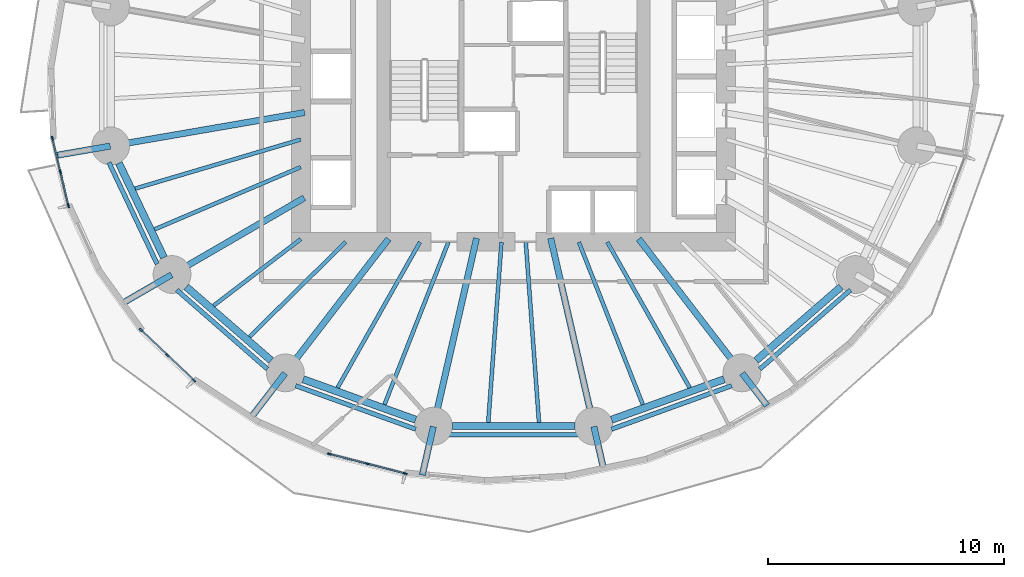
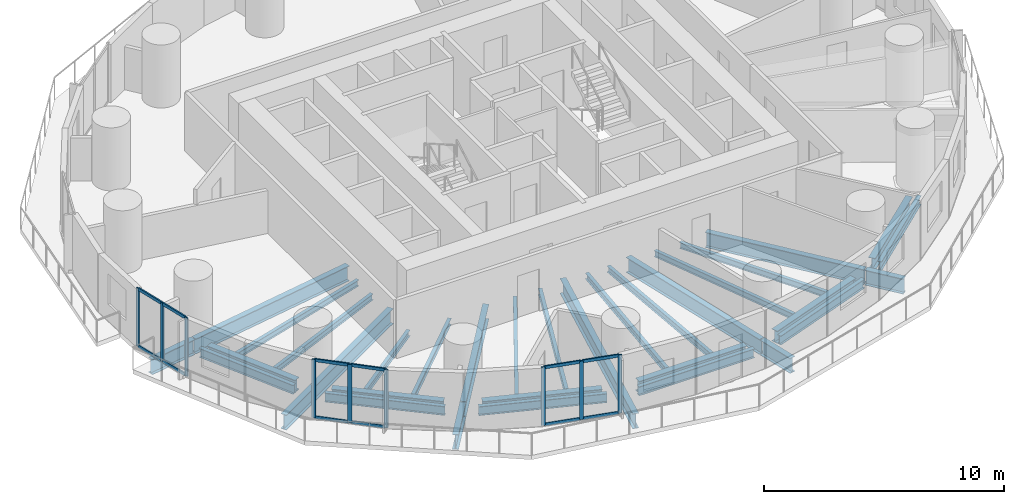
# One storey, part 2 of 14: 34 beams, 21 members, 3 elements without a shape of their own.
"""IFC4 building model written with IfcOpenShell, lengths in metres."""

from ifc_helpers import new_model, si_unit, direction, frame, origin, origin_2d, place, context, subcontext, project, spatial, rectangle, i_section, extrude, material, material_profile, profile_set, type_object, element, aggregate, save


model = new_model("IFC4")

# Units and contexts
model_context = context("Model", 3, precision=1e-05, world=origin(), true_north=direction((0.0, 1.0)))
body_context = subcontext(model_context, "Body", "Model", "MODEL_VIEW")
ifc_project = project(units=[si_unit("LENGTHUNIT", "METRE"), si_unit("AREAUNIT", "SQUARE_METRE"), si_unit("VOLUMEUNIT", "CUBIC_METRE"), si_unit("PLANEANGLEUNIT", "RADIAN"), si_unit("MASSUNIT", "GRAM", prefix="KILO")], contexts=[model_context])

# Site, building, storey
site_placement = place(None, origin())
site = spatial("IfcSite", under=ifc_project, at=site_placement, CompositionType="ELEMENT")
building_placement = place(site_placement, origin())
building = spatial("IfcBuilding", under=site, at=building_placement, Name="Veldorim Arch Residences", CompositionType="ELEMENT")
storey_placement = place(building_placement, frame((0.0, 0.0, 40.800048828125)))
storey = spatial("IfcBuildingStorey", under=building, at=storey_placement, Name="L11", CompositionType="ELEMENT", Elevation=40.800048828125)

# Beams
ifc_material_1 = material(Name="Steel S355", Category="steel")
ifc_material_profile_1 = material_profile(ifc_material_1, i_section(OverallWidth=0.30712890625, OverallDepth=0.6201171875, WebThickness=0.01416015625, FlangeThickness=0.023681640625, at=origin_2d()), Name="UB610x305x179")
ifc_profile_set_1 = profile_set([ifc_material_profile_1], Name="Steel S355")
beam_type_1 = type_object("IfcBeamType", Name="Structural Steel Beam UB610x305x179", PredefinedType="BEAM", material=ifc_profile_set_1)
beam_1_placement = place(storey_placement, frame((15.27880859375, 20.33203125, -0.550048828125), z_axis=(0.430786696724, -0.902453778276, 0.0), x_axis=(0.902453778276, 0.430786696724, 0.0)))
element("IfcBeam", 1, at=beam_1_placement, inside=storey, type_object=beam_type_1, Name="L11 perimeter ring tie beam 09", PredefinedType="BEAM", context=body_context, shape_type="SweptSolid", body=[
    extrude(i_section(OverallWidth=0.30712890625, OverallDepth=0.6201171875, WebThickness=0.01416015625, FlangeThickness=0.023681640625, at=origin_2d()), origin(), (0.0, 0.0, 1.0), 4.431396484375),
])
beam_2_placement = place(storey_placement, frame((18.13671875, 15.086669921875, -0.550048828125), z_axis=(0.755235029424, -0.655454079499, 0.0), x_axis=(0.655454079499, 0.755235029424, 0.0)))
element("IfcBeam", 2, at=beam_2_placement, inside=storey, type_object=beam_type_1, Name="L11 perimeter ring tie beam 10", PredefinedType="BEAM", context=body_context, shape_type="SweptSolid", body=[
    extrude(i_section(OverallWidth=0.30712890625, OverallDepth=0.6201171875, WebThickness=0.01416015625, FlangeThickness=0.023681640625, at=origin_2d()), origin(), (0.0, 0.0, 1.0), 4.756591796875),
])
beam_3_placement = place(storey_placement, frame((23.0859375, 11.17431640625, -0.550048828125), z_axis=(0.94103540046, -0.338308106732, 0.0), x_axis=(0.338308106732, 0.94103540046, 0.0)))
element("IfcBeam", 3, at=beam_3_placement, inside=storey, type_object=beam_type_1, Name="L11 perimeter ring tie beam 11", PredefinedType="BEAM", context=body_context, shape_type="SweptSolid", body=[
    extrude(i_section(OverallWidth=0.30712890625, OverallDepth=0.6201171875, WebThickness=0.01416015625, FlangeThickness=0.023681640625, at=origin_2d()), origin(), (0.0, 0.0, 1.0), 5.065185546875),
])
beam_4_placement = place(storey_placement, frame((29.405517578125, 9.190185546875, -0.550048828125), z_axis=(1.0, 0.0, 0.0), x_axis=(0.0, 1.0, 0.0)))
element("IfcBeam", 4, at=beam_4_placement, inside=storey, type_object=beam_type_1, Name="L11 perimeter ring tie beam 12", PredefinedType="BEAM", context=body_context, shape_type="SweptSolid", body=[
    extrude(i_section(OverallWidth=0.30712890625, OverallDepth=0.6201171875, WebThickness=0.01416015625, FlangeThickness=0.023681640625, at=origin_2d()), origin(), (0.0, 0.0, 1.0), 5.18896484375),
])
beam_5_placement = place(storey_placement, frame((36.1474609375, 9.460693359375, -0.550048828125), z_axis=(0.94103540046, 0.338308106732, 0.0), x_axis=(-0.338308106732, 0.94103540046, 0.0)))
element("IfcBeam", 5, at=beam_5_placement, inside=storey, type_object=beam_type_1, Name="L11 perimeter ring tie beam 13", PredefinedType="BEAM", context=body_context, shape_type="SweptSolid", body=[
    extrude(i_section(OverallWidth=0.30712890625, OverallDepth=0.6201171875, WebThickness=0.01416015625, FlangeThickness=0.023681640625, at=origin_2d()), origin(), (0.0, 0.0, 1.0), 5.065185546875),
])
beam_6_placement = place(storey_placement, frame((42.27099609375, 11.968994140625, -0.550048828125), z_axis=(0.755235029424, 0.655454079499, 0.0), x_axis=(-0.655454079499, 0.755235029424, 0.0)))
element("IfcBeam", 6, at=beam_6_placement, inside=storey, type_object=beam_type_1, Name="L11 perimeter ring tie beam 14", PredefinedType="BEAM", context=body_context, shape_type="SweptSolid", body=[
    extrude(i_section(OverallWidth=0.30712890625, OverallDepth=0.6201171875, WebThickness=0.01416015625, FlangeThickness=0.023681640625, at=origin_2d()), origin(), (0.0, 0.0, 1.0), 4.756591796875),
])
ifc_material_2 = material(Name="Steel S355", Category="steel")
ifc_material_profile_2 = material_profile(ifc_material_2, i_section(OverallWidth=0.26806640625, OverallDepth=0.769775390625, WebThickness=0.015625, FlangeThickness=0.025390625, at=origin_2d()), Name="UB762x267x197")
ifc_profile_set_2 = profile_set([ifc_material_profile_2], Name="Steel S355")
beam_type_2 = type_object("IfcBeamType", Name="Structural Steel GIRDER UB762x267x197", PredefinedType="USERDEFINED", material=ifc_profile_set_2)
beam_7_placement = place(storey_placement, frame((23.147705078125, 22.471923828125, -0.625), z_axis=(-0.985427548249, -0.170095699979, 0.0), x_axis=(0.170095699979, -0.985427548249, 0.0)))
element("IfcBeam", 7, at=beam_7_placement, inside=storey, type_object=beam_type_2, Name="L11 radial floor girder 09", ObjectType="GIRDER", PredefinedType="USERDEFINED", context=body_context, shape_type="SweptSolid", body=[
    extrude(i_section(OverallWidth=0.26806640625, OverallDepth=0.769775390625, WebThickness=0.015625, FlangeThickness=0.025390625, at=origin_2d()), origin(), (0.0, 0.0, 1.0), 8.314697265625),
])
beam_8_placement = place(storey_placement, frame((14.91455078125, 21.05078125, -0.625), z_axis=(-0.985409805025, -0.170198461099, 0.0), x_axis=(0.170198461099, -0.985409805025, 0.0)))
element("IfcBeam", 8, at=beam_8_placement, inside=storey, type_object=beam_type_2, Name="L11 radial edge cantilever girder 09", ObjectType="GIRDER", PredefinedType="USERDEFINED", context=body_context, shape_type="SweptSolid", body=[
    extrude(i_section(OverallWidth=0.26806640625, OverallDepth=0.769775390625, WebThickness=0.015625, FlangeThickness=0.025390625, at=origin_2d()), origin(), (0.0, 0.0, 1.0), 2.29931640625),
])
beam_9_placement = place(storey_placement, frame((23.1298828125, 18.8564453125, -0.625), z_axis=(-0.865088348752, -0.501619525989, 0.0), x_axis=(0.501619525989, -0.865088348752, 0.0)))
element("IfcBeam", 9, at=beam_9_placement, inside=storey, type_object=beam_type_2, Name="L11 radial floor girder 10", ObjectType="GIRDER", PredefinedType="USERDEFINED", context=body_context, shape_type="SweptSolid", body=[
    extrude(i_section(OverallWidth=0.26806640625, OverallDepth=0.769775390625, WebThickness=0.015625, FlangeThickness=0.025390625, at=origin_2d()), origin(), (0.0, 0.0, 1.0), 6.4501953125),
])
beam_10_placement = place(storey_placement, frame((17.51513671875, 15.600830078125, -0.625), z_axis=(-0.865111527822, -0.501579549453, 0.0), x_axis=(0.501579549453, -0.865111527822, 0.0)))
element("IfcBeam", 10, at=beam_10_placement, inside=storey, type_object=beam_type_2, Name="L11 radial edge cantilever girder 10", ObjectType="GIRDER", PredefinedType="USERDEFINED", context=body_context, shape_type="SweptSolid", body=[
    extrude(i_section(OverallWidth=0.26806640625, OverallDepth=0.769775390625, WebThickness=0.015625, FlangeThickness=0.025390625, at=origin_2d()), origin(), (0.0, 0.0, 1.0), 2.426513671875),
])
beam_11_placement = place(storey_placement, frame((26.701904296875, 17.118896484375, -0.625), z_axis=(-0.610082439157, -0.792337943956, 0.0), x_axis=(0.792337943956, -0.610082439157, 0.0)))
element("IfcBeam", 11, at=beam_11_placement, inside=storey, type_object=beam_type_2, Name="L11 radial floor girder 11", ObjectType="GIRDER", PredefinedType="USERDEFINED", context=body_context, shape_type="SweptSolid", body=[
    extrude(i_section(OverallWidth=0.26806640625, OverallDepth=0.769775390625, WebThickness=0.015625, FlangeThickness=0.025390625, at=origin_2d()), origin(), (0.0, 0.0, 1.0), 7.14111328125),
])
beam_12_placement = place(storey_placement, frame((22.32080078125, 11.428955078125, -0.625), z_axis=(-0.610028458485, -0.792379504933, 0.0), x_axis=(0.792379504933, -0.610028458485, 0.0)))
element("IfcBeam", 12, at=beam_12_placement, inside=storey, type_object=beam_type_2, Name="L11 radial edge cantilever girder 11", ObjectType="GIRDER", PredefinedType="USERDEFINED", context=body_context, shape_type="SweptSolid", body=[
    extrude(i_section(OverallWidth=0.26806640625, OverallDepth=0.769775390625, WebThickness=0.015625, FlangeThickness=0.025390625, at=origin_2d()), origin(), (0.0, 0.0, 1.0), 2.37646484375),
])
beam_13_placement = place(storey_placement, frame((30.428955078125, 17.146240234375, -0.625), z_axis=(-0.223411766201, -0.974724157248, 0.0), x_axis=(0.974724157248, -0.223411766201, 0.0)))
element("IfcBeam", 13, at=beam_13_placement, inside=storey, type_object=beam_type_2, Name="L11 radial floor girder 12", ObjectType="GIRDER", PredefinedType="USERDEFINED", context=body_context, shape_type="SweptSolid", body=[
    extrude(i_section(OverallWidth=0.26806640625, OverallDepth=0.769775390625, WebThickness=0.015625, FlangeThickness=0.025390625, at=origin_2d()), origin(), (0.0, 0.0, 1.0), 8.142333984375),
])
beam_14_placement = place(storey_placement, frame((28.600830078125, 9.170654296875, -0.625), z_axis=(-0.22340367913, -0.974726010811, 0.0), x_axis=(0.974726010811, -0.22340367913, 0.0)))
element("IfcBeam", 14, at=beam_14_placement, inside=storey, type_object=beam_type_2, Name="L11 radial edge cantilever girder 12", ObjectType="GIRDER", PredefinedType="USERDEFINED", context=body_context, shape_type="SweptSolid", body=[
    extrude(i_section(OverallWidth=0.26806640625, OverallDepth=0.769775390625, WebThickness=0.015625, FlangeThickness=0.025390625, at=origin_2d()), origin(), (0.0, 0.0, 1.0), 2.10693359375),
])
beam_15_placement = place(storey_placement, frame((33.571044921875, 17.146240234375, -0.625), z_axis=(0.223411766201, -0.974724157248, 0.0), x_axis=(0.974724157248, 0.223411766201, 0.0)))
element("IfcBeam", 15, at=beam_15_placement, inside=storey, type_object=beam_type_2, Name="L11 radial floor girder 13", ObjectType="GIRDER", PredefinedType="USERDEFINED", context=body_context, shape_type="SweptSolid", body=[
    extrude(i_section(OverallWidth=0.26806640625, OverallDepth=0.769775390625, WebThickness=0.015625, FlangeThickness=0.025390625, at=origin_2d()), origin(), (0.0, 0.0, 1.0), 8.142333984375),
])
beam_16_placement = place(storey_placement, frame((35.399169921875, 9.170654296875, -0.625), z_axis=(0.223405058442, -0.974725694676, 0.0), x_axis=(0.974725694676, 0.223405058442, 0.0)))
element("IfcBeam", 16, at=beam_16_placement, inside=storey, type_object=beam_type_2, Name="L11 radial edge cantilever girder 13", ObjectType="GIRDER", PredefinedType="USERDEFINED", context=body_context, shape_type="SweptSolid", body=[
    extrude(i_section(OverallWidth=0.26806640625, OverallDepth=0.769775390625, WebThickness=0.015625, FlangeThickness=0.025390625, at=origin_2d()), origin(), (0.0, 0.0, 1.0), 1.839111328125),
])
beam_17_placement = place(storey_placement, frame((37.298095703125, 17.118896484375, -0.625), z_axis=(0.610082439157, -0.792337943956, 0.0), x_axis=(0.792337943956, 0.610082439157, 0.0)))
element("IfcBeam", 17, at=beam_17_placement, inside=storey, type_object=beam_type_2, Name="L11 radial floor girder 14", ObjectType="GIRDER", PredefinedType="USERDEFINED", context=body_context, shape_type="SweptSolid", body=[
    extrude(i_section(OverallWidth=0.26806640625, OverallDepth=0.769775390625, WebThickness=0.015625, FlangeThickness=0.025390625, at=origin_2d()), origin(), (0.0, 0.0, 1.0), 7.14111328125),
])
beam_18_placement = place(storey_placement, frame((41.67919921875, 11.428955078125, -0.625), z_axis=(0.610051931938, -0.792361432895, 0.0), x_axis=(0.792361432895, 0.610051931938, 0.0)))
element("IfcBeam", 18, at=beam_18_placement, inside=storey, type_object=beam_type_2, Name="L11 radial edge cantilever girder 14", ObjectType="GIRDER", PredefinedType="USERDEFINED", context=body_context, shape_type="SweptSolid", body=[
    extrude(i_section(OverallWidth=0.26806640625, OverallDepth=0.769775390625, WebThickness=0.015625, FlangeThickness=0.025390625, at=origin_2d()), origin(), (0.0, 0.0, 1.0), 1.728759765625),
])
ifc_material_3 = material(Name="Steel S355", Category="steel")
ifc_material_profile_3 = material_profile(ifc_material_3, i_section(OverallWidth=0.165771484375, OverallDepth=0.306640625, WebThickness=0.006591796875, FlangeThickness=0.01171875, at=origin_2d()), Name="UB305x165x46")
ifc_profile_set_3 = profile_set([ifc_material_profile_3], Name="Steel S355")
beam_type_3 = type_object("IfcBeamType", Name="Structural Steel Joist UB305x165x46", PredefinedType="JOIST", material=ifc_profile_set_3)
beam_19_placement = place(storey_placement, frame((22.980712890625, 21.32666015625, -0.393310546875), z_axis=(-0.958766778771, -0.284194060325, 0.0), x_axis=(0.284194060325, -0.958766778771, 0.0)))
element("IfcBeam", 19, at=beam_19_placement, inside=storey, type_object=beam_type_3, Name="L11 secondary radial floor joist 09-1", PredefinedType="JOIST", context=body_context, shape_type="SweptSolid", body=[
    extrude(i_section(OverallWidth=0.165771484375, OverallDepth=0.306640625, WebThickness=0.006591796875, FlangeThickness=0.01171875, at=origin_2d()), origin(), (0.0, 0.0, 1.0), 7.3115234375),
])
beam_20_placement = place(storey_placement, frame((22.981689453125, 20.15869140625, -0.393310546875), z_axis=(-0.920032948668, -0.391841005213, 0.0), x_axis=(0.391841005213, -0.920032948668, 0.0)))
element("IfcBeam", 20, at=beam_20_placement, inside=storey, type_object=beam_type_3, Name="L11 secondary radial floor joist 09-2", PredefinedType="JOIST", context=body_context, shape_type="SweptSolid", body=[
    extrude(i_section(OverallWidth=0.165771484375, OverallDepth=0.306640625, WebThickness=0.006591796875, FlangeThickness=0.01171875, at=origin_2d()), origin(), (0.0, 0.0, 1.0), 6.723388671875),
])
beam_21_placement = place(storey_placement, frame((22.984130859375, 17.1123046875, -0.393310546875), z_axis=(-0.794666431166, -0.607046343517, 0.0), x_axis=(0.607046343517, -0.794666431166, 0.0)))
element("IfcBeam", 21, at=beam_21_placement, inside=storey, type_object=beam_type_3, Name="L11 secondary radial floor joist 10-1", PredefinedType="JOIST", context=body_context, shape_type="SweptSolid", body=[
    extrude(i_section(OverallWidth=0.165771484375, OverallDepth=0.306640625, WebThickness=0.006591796875, FlangeThickness=0.01171875, at=origin_2d()), origin(), (0.0, 0.0, 1.0), 4.646728515625),
])
beam_22_placement = place(storey_placement, frame((24.885009765625, 16.986083984375, -0.393310546875), z_axis=(-0.712129078446, -0.702048556463, 0.0), x_axis=(0.702048556463, -0.712129078446, 0.0)))
element("IfcBeam", 22, at=beam_22_placement, inside=storey, type_object=beam_type_3, Name="L11 secondary radial floor joist 10-2", PredefinedType="JOIST", context=body_context, shape_type="SweptSolid", body=[
    extrude(i_section(OverallWidth=0.165771484375, OverallDepth=0.306640625, WebThickness=0.006591796875, FlangeThickness=0.01171875, at=origin_2d()), origin(), (0.0, 0.0, 1.0), 5.715576171875),
])
beam_23_placement = place(storey_placement, frame((28.03125, 16.982666015625, -0.393310546875), z_axis=(-0.492292335352, -0.870429926274, 0.0), x_axis=(0.870429926274, -0.492292335352, 0.0)))
element("IfcBeam", 23, at=beam_23_placement, inside=storey, type_object=beam_type_3, Name="L11 secondary radial floor joist 11-1", PredefinedType="JOIST", context=body_context, shape_type="SweptSolid", body=[
    extrude(i_section(OverallWidth=0.165771484375, OverallDepth=0.306640625, WebThickness=0.006591796875, FlangeThickness=0.01171875, at=origin_2d()), origin(), (0.0, 0.0, 1.0), 7.083251953125),
])
beam_24_placement = place(storey_placement, frame((29.237548828125, 16.9814453125, -0.393310546875), z_axis=(-0.366229833858, -0.930524426758, 0.0), x_axis=(0.930524426758, -0.366229833858, 0.0)))
element("IfcBeam", 24, at=beam_24_placement, inside=storey, type_object=beam_type_3, Name="L11 secondary radial floor joist 11-2", PredefinedType="JOIST", context=body_context, shape_type="SweptSolid", body=[
    extrude(i_section(OverallWidth=0.165771484375, OverallDepth=0.306640625, WebThickness=0.006591796875, FlangeThickness=0.01171875, at=origin_2d()), origin(), (0.0, 0.0, 1.0), 7.3896484375),
])
for number, where, z_axis, x_axis, name in (
    (25, (31.485107421875, 16.97998046875, -0.393310546875), (-0.073167620373, -0.997319657547, 0.0), (0.997319657547, -0.073167620373, 0.0), "L11 secondary radial floor joist 12-1"),
    (26, (32.514892578125, 16.97998046875, -0.393310546875), (0.073167620373, -0.997319657547, 0.0), (0.997319657547, 0.073167620373, 0.0), "L11 secondary radial floor joist 12-2"),
):
    element("IfcBeam", number, at=place(storey_placement, frame(where, z_axis=z_axis, x_axis=x_axis)), inside=storey, type_object=beam_type_3, Name=name, PredefinedType="JOIST", context=body_context, shape_type="SweptSolid", body=[
        extrude(i_section(OverallWidth=0.165771484375, OverallDepth=0.306640625, WebThickness=0.006591796875, FlangeThickness=0.01171875, at=origin_2d()), origin(), (0.0, 0.0, 1.0), 7.651123046875),
    ])
beam_25_placement = place(storey_placement, frame((34.762451171875, 16.9814453125, -0.393310546875), z_axis=(0.366229833858, -0.930524426758, 0.0), x_axis=(0.930524426758, 0.366229833858, 0.0)))
element("IfcBeam", 27, at=beam_25_placement, inside=storey, type_object=beam_type_3, Name="L11 secondary radial floor joist 13-1", PredefinedType="JOIST", context=body_context, shape_type="SweptSolid", body=[
    extrude(i_section(OverallWidth=0.165771484375, OverallDepth=0.306640625, WebThickness=0.006591796875, FlangeThickness=0.01171875, at=origin_2d()), origin(), (0.0, 0.0, 1.0), 7.3896484375),
])
beam_26_placement = place(storey_placement, frame((35.96875, 16.982666015625, -0.393310546875), z_axis=(0.492292335352, -0.870429926274, 0.0), x_axis=(0.870429926274, 0.492292335352, 0.0)))
element("IfcBeam", 28, at=beam_26_placement, inside=storey, type_object=beam_type_3, Name="L11 secondary radial floor joist 13-2", PredefinedType="JOIST", context=body_context, shape_type="SweptSolid", body=[
    extrude(i_section(OverallWidth=0.165771484375, OverallDepth=0.306640625, WebThickness=0.006591796875, FlangeThickness=0.01171875, at=origin_2d()), origin(), (0.0, 0.0, 1.0), 7.083251953125),
])
ifc_material_4 = material(Name="Steel S355", Category="steel")
ifc_material_profile_4 = material_profile(ifc_material_4, i_section(OverallWidth=0.19140625, OverallDepth=0.4599609375, WebThickness=0.010009765625, FlangeThickness=0.01611328125, at=origin_2d()), Name="UB457x191x82")
ifc_profile_set_4 = profile_set([ifc_material_profile_4], Name="Steel S355")
beam_type_4 = type_object("IfcBeamType", Name="Structural Steel Spandrel UB457x191x82", PredefinedType="SPANDREL", material=ifc_profile_set_4)
beam_27_placement = place(storey_placement, frame((14.86181640625, 20.353515625, -0.489990234375), z_axis=(0.42886940858, -0.903366498374, 0.0), x_axis=(0.903366498374, 0.42886940858, 0.0)))
element("IfcBeam", 29, at=beam_27_placement, inside=storey, type_object=beam_type_4, Name="L11 perimeter chord spandrel beam 09", PredefinedType="SPANDREL", context=body_context, shape_type="SweptSolid", body=[
    extrude(i_section(OverallWidth=0.19140625, OverallDepth=0.4599609375, WebThickness=0.010009765625, FlangeThickness=0.01611328125, at=origin_2d()), origin(), (0.0, 0.0, 1.0), 4.7568359375),
])
beam_28_placement = place(storey_placement, frame((17.73388671875, 14.957275390625, -0.489990234375), z_axis=(0.753250231024, -0.65773405679, 0.0), x_axis=(0.65773405679, 0.753250231024, 0.0)))
element("IfcBeam", 30, at=beam_28_placement, inside=storey, type_object=beam_type_4, Name="L11 perimeter chord spandrel beam 10", PredefinedType="SPANDREL", context=body_context, shape_type="SweptSolid", body=[
    extrude(i_section(OverallWidth=0.19140625, OverallDepth=0.4599609375, WebThickness=0.010009765625, FlangeThickness=0.01611328125, at=origin_2d()), origin(), (0.0, 0.0, 1.0), 5.09423828125),
])
beam_29_placement = place(storey_placement, frame((22.76318359375, 10.904052734375, -0.489990234375), z_axis=(0.940271320222, -0.340425974873, 0.0), x_axis=(0.340425974873, 0.940271320222, 0.0)))
element("IfcBeam", 31, at=beam_29_placement, inside=storey, type_object=beam_type_4, Name="L11 perimeter chord spandrel beam 11", PredefinedType="SPANDREL", context=body_context, shape_type="SweptSolid", body=[
    extrude(i_section(OverallWidth=0.19140625, OverallDepth=0.4599609375, WebThickness=0.010009765625, FlangeThickness=0.01611328125, at=origin_2d()), origin(), (0.0, 0.0, 1.0), 5.4189453125),
])
beam_30_placement = place(storey_placement, frame((29.224609375, 8.819580078125, -0.489990234375), z_axis=(1.0, 0.0, 0.0), x_axis=(0.0, 1.0, 0.0)))
element("IfcBeam", 32, at=beam_30_placement, inside=storey, type_object=beam_type_4, Name="L11 perimeter chord spandrel beam 12", PredefinedType="SPANDREL", context=body_context, shape_type="SweptSolid", body=[
    extrude(i_section(OverallWidth=0.19140625, OverallDepth=0.4599609375, WebThickness=0.010009765625, FlangeThickness=0.01611328125, at=origin_2d()), origin(), (0.0, 0.0, 1.0), 5.55078125),
])
beam_31_placement = place(storey_placement, frame((36.1416015625, 9.059326171875, -0.489990234375), z_axis=(0.940271320222, 0.340425974873, 0.0), x_axis=(-0.340425974873, 0.940271320222, 0.0)))
element("IfcBeam", 33, at=beam_31_placement, inside=storey, type_object=beam_type_4, Name="L11 perimeter chord spandrel beam 13", PredefinedType="SPANDREL", context=body_context, shape_type="SweptSolid", body=[
    extrude(i_section(OverallWidth=0.19140625, OverallDepth=0.4599609375, WebThickness=0.010009765625, FlangeThickness=0.01611328125, at=origin_2d()), origin(), (0.0, 0.0, 1.0), 5.4189453125),
])
beam_32_placement = place(storey_placement, frame((42.428955078125, 11.606689453125, -0.489990234375), z_axis=(0.753250231024, 0.65773405679, 0.0), x_axis=(-0.65773405679, 0.753250231024, 0.0)))
element("IfcBeam", 34, at=beam_32_placement, inside=storey, type_object=beam_type_4, Name="L11 perimeter chord spandrel beam 14", PredefinedType="SPANDREL", context=body_context, shape_type="SweptSolid", body=[
    extrude(i_section(OverallWidth=0.19140625, OverallDepth=0.4599609375, WebThickness=0.010009765625, FlangeThickness=0.01611328125, at=origin_2d()), origin(), (0.0, 0.0, 1.0), 5.09423828125),
])

# Curtain wall, members
ifc_material_5 = material(Name="Aluminium", Category="aluminium")
curtain_wall_type = type_object("IfcCurtainWallType", Name="Zone 1 Acoustic Low-E Unitised Curtain Wall", PredefinedType="NOTDEFINED", material=ifc_material_5)
curtain_wall_1_placement = place(storey_placement, origin())
curtain_wall_1 = element("IfcCurtainWall", 35, at=curtain_wall_1_placement, inside=storey, type_object=curtain_wall_type, Name="L11 unitised curtain wall bay 19", PredefinedType="NOTDEFINED")
ifc_material_6 = material(Name="Aluminium", Category="aluminium")
ifc_material_profile_5 = material_profile(ifc_material_6, rectangle(XDim=0.06494140625, YDim=0.175048828125, at=origin_2d()), Name="ALU_MUL_65x175")
ifc_profile_set_5 = profile_set([ifc_material_profile_5], Name="Aluminium")
member_type_1 = type_object("IfcMemberType", Name="Zone 1 Acoustic Low-E Unitised Curtain Wall Mullion 65x175", PredefinedType="MULLION", material=ifc_profile_set_5)
member_1_placement = place(storey_placement, frame((13.143310546875, 18.526123046875, 0.0), z_axis=(0.0, 0.0, 1.0), x_axis=(-0.973129808051, -0.230257196808, 0.0)))
member_1 = element("IfcMember", 36, at=member_1_placement, type_object=member_type_1, Name="CW-Z1 mullion 1", PredefinedType="MULLION", context=body_context, shape_type="SweptSolid", body=[
    extrude(rectangle(XDim=0.06494140625, YDim=0.175048828125, at=origin_2d()), origin(), (0.0, 0.0, 1.0), 2.9599609375),
])
member_2_placement = place(storey_placement, frame((12.805419921875, 19.955078125, 0.0), z_axis=(0.0, 0.0, 1.0), x_axis=(-0.973129808051, -0.230257196808, 0.0)))
member_2 = element("IfcMember", 37, at=member_2_placement, type_object=member_type_1, Name="CW-Z1 mullion 2", PredefinedType="MULLION", context=body_context, shape_type="SweptSolid", body=[
    extrude(rectangle(XDim=0.06494140625, YDim=0.175048828125, at=origin_2d()), origin(), (0.0, 0.0, 1.0), 2.9599609375),
])
member_3_placement = place(storey_placement, frame((12.46728515625, 21.384033203125, 0.0), z_axis=(0.0, 0.0, 1.0), x_axis=(-0.973129808051, -0.230257196808, 0.0)))
member_3 = element("IfcMember", 38, at=member_3_placement, type_object=member_type_1, Name="CW-Z1 mullion 3", PredefinedType="MULLION", context=body_context, shape_type="SweptSolid", body=[
    extrude(rectangle(XDim=0.06494140625, YDim=0.175048828125, at=origin_2d()), origin(), (0.0, 0.0, 1.0), 2.9599609375),
])

curtain_wall_2_placement = place(storey_placement, origin())
curtain_wall_2 = element("IfcCurtainWall", 39, at=curtain_wall_2_placement, inside=storey, type_object=curtain_wall_type, Name="L11 unitised curtain wall bay 22", PredefinedType="NOTDEFINED")
member_4_placement = place(storey_placement, frame((18.45703125, 11.132080078125, 0.0), z_axis=(0.0, 0.0, 1.0), x_axis=(-0.689245020922, -0.724528330111, 0.0)))
member_4 = element("IfcMember", 40, at=member_4_placement, type_object=member_type_1, Name="CW-Z1 mullion 1", PredefinedType="MULLION", context=body_context, shape_type="SweptSolid", body=[
    extrude(rectangle(XDim=0.06494140625, YDim=0.175048828125, at=origin_2d()), origin(), (0.0, 0.0, 1.0), 2.9599609375),
])
member_5_placement = place(storey_placement, frame((17.337890625, 12.197021484375, 0.0), z_axis=(0.0, 0.0, 1.0), x_axis=(-0.689245020922, -0.724528330111, 0.0)))
member_5 = element("IfcMember", 41, at=member_5_placement, type_object=member_type_1, Name="CW-Z1 mullion 2", PredefinedType="MULLION", context=body_context, shape_type="SweptSolid", body=[
    extrude(rectangle(XDim=0.06494140625, YDim=0.175048828125, at=origin_2d()), origin(), (0.0, 0.0, 1.0), 2.9599609375),
])
member_6_placement = place(storey_placement, frame((16.21875, 13.26171875, 0.0), z_axis=(0.0, 0.0, 1.0), x_axis=(-0.689245020922, -0.724528330111, 0.0)))
member_6 = element("IfcMember", 42, at=member_6_placement, type_object=member_type_1, Name="CW-Z1 mullion 3", PredefinedType="MULLION", context=body_context, shape_type="SweptSolid", body=[
    extrude(rectangle(XDim=0.06494140625, YDim=0.175048828125, at=origin_2d()), origin(), (0.0, 0.0, 1.0), 2.9599609375),
])

curtain_wall_3_placement = place(storey_placement, origin())
curtain_wall_3 = element("IfcCurtainWall", 43, at=curtain_wall_3_placement, inside=storey, type_object=curtain_wall_type, Name="L11 unitised curtain wall bay 25", PredefinedType="NOTDEFINED")
member_7_placement = place(storey_placement, frame((27.404296875, 7.18212890625, 0.0), z_axis=(0.0, 0.0, 1.0), x_axis=(-0.250259756916, -0.968178730436, 0.0)))
member_7 = element("IfcMember", 44, at=member_7_placement, type_object=member_type_1, Name="CW-Z1 mullion 1", PredefinedType="MULLION", context=body_context, shape_type="SweptSolid", body=[
    extrude(rectangle(XDim=0.06494140625, YDim=0.175048828125, at=origin_2d()), origin(), (0.0, 0.0, 1.0), 2.9599609375),
])
member_8_placement = place(storey_placement, frame((25.802001953125, 7.59619140625, 0.0), z_axis=(0.0, 0.0, 1.0), x_axis=(-0.250259756916, -0.968178730436, 0.0)))
member_8 = element("IfcMember", 45, at=member_8_placement, type_object=member_type_1, Name="CW-Z1 mullion 2", PredefinedType="MULLION", context=body_context, shape_type="SweptSolid", body=[
    extrude(rectangle(XDim=0.06494140625, YDim=0.175048828125, at=origin_2d()), origin(), (0.0, 0.0, 1.0), 2.9599609375),
])
member_9_placement = place(storey_placement, frame((24.19970703125, 8.01025390625, 0.0), z_axis=(0.0, 0.0, 1.0), x_axis=(-0.250259756916, -0.968178730436, 0.0)))
member_9 = element("IfcMember", 46, at=member_9_placement, type_object=member_type_1, Name="CW-Z1 mullion 3", PredefinedType="MULLION", context=body_context, shape_type="SweptSolid", body=[
    extrude(rectangle(XDim=0.06494140625, YDim=0.175048828125, at=origin_2d()), origin(), (0.0, 0.0, 1.0), 2.9599609375),
])

# Member
ifc_material_7 = material(Name="Aluminium", Category="aluminium")
ifc_material_profile_6 = material_profile(ifc_material_7, rectangle(XDim=0.06494140625, YDim=0.14990234375, at=origin_2d()), Name="ALU_TRN_65x150")
ifc_profile_set_6 = profile_set([ifc_material_profile_6], Name="Aluminium")
member_type_2 = type_object("IfcMemberType", Name="Zone 1 Acoustic Low-E Unitised Curtain Wall Transom 65x150", PredefinedType="USERDEFINED", material=ifc_profile_set_6)
member_10_placement = place(storey_placement, frame((13.135986328125, 18.557861328125, 0.032470703125), z_axis=(-0.230319002626, 0.97311518179, 0.0), x_axis=(-0.97311518179, -0.230319002626, 0.0)))
member_10 = element("IfcMember", 47, at=member_10_placement, type_object=member_type_2, Name="CW-Z1 transom 1.1", ObjectType="TRANSOM", PredefinedType="USERDEFINED", context=body_context, shape_type="SweptSolid", body=[
    extrude(rectangle(XDim=0.06494140625, YDim=0.14990234375, at=origin_2d()), origin(), (0.0, 0.0, 1.0), 1.403564453125),
])

member_11_placement = place(storey_placement, frame((13.135986328125, 18.557861328125, 2.927490234375), z_axis=(-0.230319002626, 0.97311518179, 0.0), x_axis=(-0.97311518179, -0.230319002626, 0.0)))
member_11 = element("IfcMember", 48, at=member_11_placement, type_object=member_type_2, Name="CW-Z1 transom 1.2", ObjectType="TRANSOM", PredefinedType="USERDEFINED", context=body_context, shape_type="SweptSolid", body=[
    extrude(rectangle(XDim=0.06494140625, YDim=0.14990234375, at=origin_2d()), origin(), (0.0, 0.0, 1.0), 1.403564453125),
])

member_12_placement = place(storey_placement, frame((12.7978515625, 19.98681640625, 0.032470703125), z_axis=(-0.230319002626, 0.97311518179, 0.0), x_axis=(-0.97311518179, -0.230319002626, 0.0)))
member_12 = element("IfcMember", 49, at=member_12_placement, type_object=member_type_2, Name="CW-Z1 transom 2.1", ObjectType="TRANSOM", PredefinedType="USERDEFINED", context=body_context, shape_type="SweptSolid", body=[
    extrude(rectangle(XDim=0.06494140625, YDim=0.14990234375, at=origin_2d()), origin(), (0.0, 0.0, 1.0), 1.403564453125),
])

member_13_placement = place(storey_placement, frame((12.7978515625, 19.98681640625, 2.927490234375), z_axis=(-0.230319002626, 0.97311518179, 0.0), x_axis=(-0.97311518179, -0.230319002626, 0.0)))
member_13 = element("IfcMember", 50, at=member_13_placement, type_object=member_type_2, Name="CW-Z1 transom 2.2", ObjectType="TRANSOM", PredefinedType="USERDEFINED", context=body_context, shape_type="SweptSolid", body=[
    extrude(rectangle(XDim=0.06494140625, YDim=0.14990234375, at=origin_2d()), origin(), (0.0, 0.0, 1.0), 1.403564453125),
])

aggregate(curtain_wall_1, [member_1, member_2, member_3, member_10, member_11, member_12, member_13])

member_14_placement = place(storey_placement, frame((18.43359375, 11.154541015625, 0.032470703125), z_axis=(-0.724459587436, 0.689317275406, 0.0), x_axis=(-0.689317275406, -0.724459587436, 0.0)))
member_14 = element("IfcMember", 51, at=member_14_placement, type_object=member_type_2, Name="CW-Z1 transom 1.1", ObjectType="TRANSOM", PredefinedType="USERDEFINED", context=body_context, shape_type="SweptSolid", body=[
    extrude(rectangle(XDim=0.06494140625, YDim=0.14990234375, at=origin_2d()), origin(), (0.0, 0.0, 1.0), 1.479736328125),
])

member_15_placement = place(storey_placement, frame((18.43359375, 11.154541015625, 2.927490234375), z_axis=(-0.724459587436, 0.689317275406, 0.0), x_axis=(-0.689317275406, -0.724459587436, 0.0)))
member_15 = element("IfcMember", 52, at=member_15_placement, type_object=member_type_2, Name="CW-Z1 transom 1.2", ObjectType="TRANSOM", PredefinedType="USERDEFINED", context=body_context, shape_type="SweptSolid", body=[
    extrude(rectangle(XDim=0.06494140625, YDim=0.14990234375, at=origin_2d()), origin(), (0.0, 0.0, 1.0), 1.479736328125),
])

member_16_placement = place(storey_placement, frame((17.314453125, 12.21923828125, 0.032470703125), z_axis=(-0.724537968506, 0.689234888984, 0.0), x_axis=(-0.689234888984, -0.724537968506, 0.0)))
member_16 = element("IfcMember", 53, at=member_16_placement, type_object=member_type_2, Name="CW-Z1 transom 2.1", ObjectType="TRANSOM", PredefinedType="USERDEFINED", context=body_context, shape_type="SweptSolid", body=[
    extrude(rectangle(XDim=0.06494140625, YDim=0.14990234375, at=origin_2d()), origin(), (0.0, 0.0, 1.0), 1.47998046875),
])

member_17_placement = place(storey_placement, frame((17.314453125, 12.21923828125, 2.927490234375), z_axis=(-0.724537968506, 0.689234888984, 0.0), x_axis=(-0.689234888984, -0.724537968506, 0.0)))
member_17 = element("IfcMember", 54, at=member_17_placement, type_object=member_type_2, Name="CW-Z1 transom 2.2", ObjectType="TRANSOM", PredefinedType="USERDEFINED", context=body_context, shape_type="SweptSolid", body=[
    extrude(rectangle(XDim=0.06494140625, YDim=0.14990234375, at=origin_2d()), origin(), (0.0, 0.0, 1.0), 1.47998046875),
])

aggregate(curtain_wall_2, [member_4, member_5, member_6, member_14, member_15, member_16, member_17])

member_18_placement = place(storey_placement, frame((27.372802734375, 7.190185546875, 0.032470703125), z_axis=(-0.968169369906, 0.25029596716, 0.0), x_axis=(-0.25029596716, -0.968169369906, 0.0)))
member_18 = element("IfcMember", 55, at=member_18_placement, type_object=member_type_2, Name="CW-Z1 transom 1.1", ObjectType="TRANSOM", PredefinedType="USERDEFINED", context=body_context, shape_type="SweptSolid", body=[
    extrude(rectangle(XDim=0.06494140625, YDim=0.14990234375, at=origin_2d()), origin(), (0.0, 0.0, 1.0), 1.58984375),
])

member_19_placement = place(storey_placement, frame((27.372802734375, 7.190185546875, 2.927490234375), z_axis=(-0.968169369906, 0.25029596716, 0.0), x_axis=(-0.25029596716, -0.968169369906, 0.0)))
member_19 = element("IfcMember", 56, at=member_19_placement, type_object=member_type_2, Name="CW-Z1 transom 1.2", ObjectType="TRANSOM", PredefinedType="USERDEFINED", context=body_context, shape_type="SweptSolid", body=[
    extrude(rectangle(XDim=0.06494140625, YDim=0.14990234375, at=origin_2d()), origin(), (0.0, 0.0, 1.0), 1.58984375),
])

member_20_placement = place(storey_placement, frame((25.7705078125, 7.604248046875, 0.032470703125), z_axis=(-0.968169369906, 0.25029596716, 0.0), x_axis=(-0.25029596716, -0.968169369906, 0.0)))
member_20 = element("IfcMember", 57, at=member_20_placement, type_object=member_type_2, Name="CW-Z1 transom 2.1", ObjectType="TRANSOM", PredefinedType="USERDEFINED", context=body_context, shape_type="SweptSolid", body=[
    extrude(rectangle(XDim=0.06494140625, YDim=0.14990234375, at=origin_2d()), origin(), (0.0, 0.0, 1.0), 1.58984375),
])

member_21_placement = place(storey_placement, frame((25.7705078125, 7.604248046875, 2.927490234375), z_axis=(-0.968169369906, 0.25029596716, 0.0), x_axis=(-0.25029596716, -0.968169369906, 0.0)))
member_21 = element("IfcMember", 58, at=member_21_placement, type_object=member_type_2, Name="CW-Z1 transom 2.2", ObjectType="TRANSOM", PredefinedType="USERDEFINED", context=body_context, shape_type="SweptSolid", body=[
    extrude(rectangle(XDim=0.06494140625, YDim=0.14990234375, at=origin_2d()), origin(), (0.0, 0.0, 1.0), 1.58984375),
])

aggregate(curtain_wall_3, [member_7, member_8, member_9, member_18, member_19, member_20, member_21])

save(model, "model.ifc")
